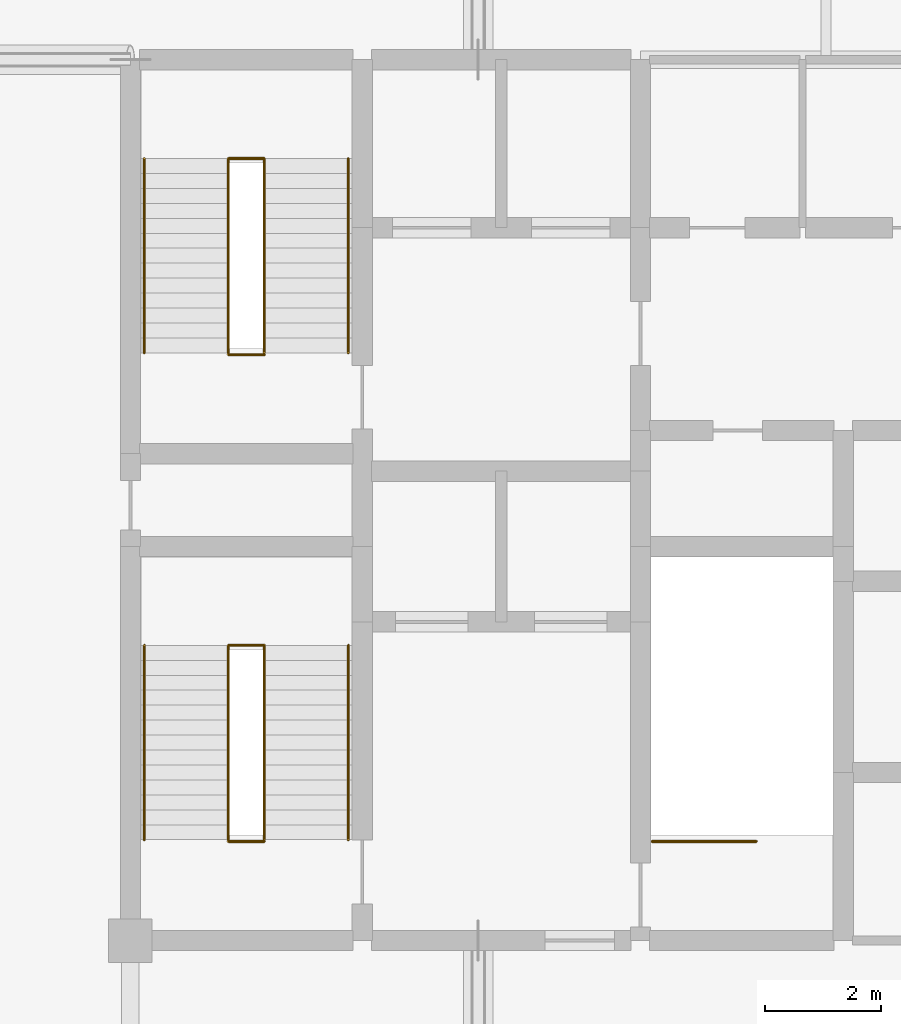
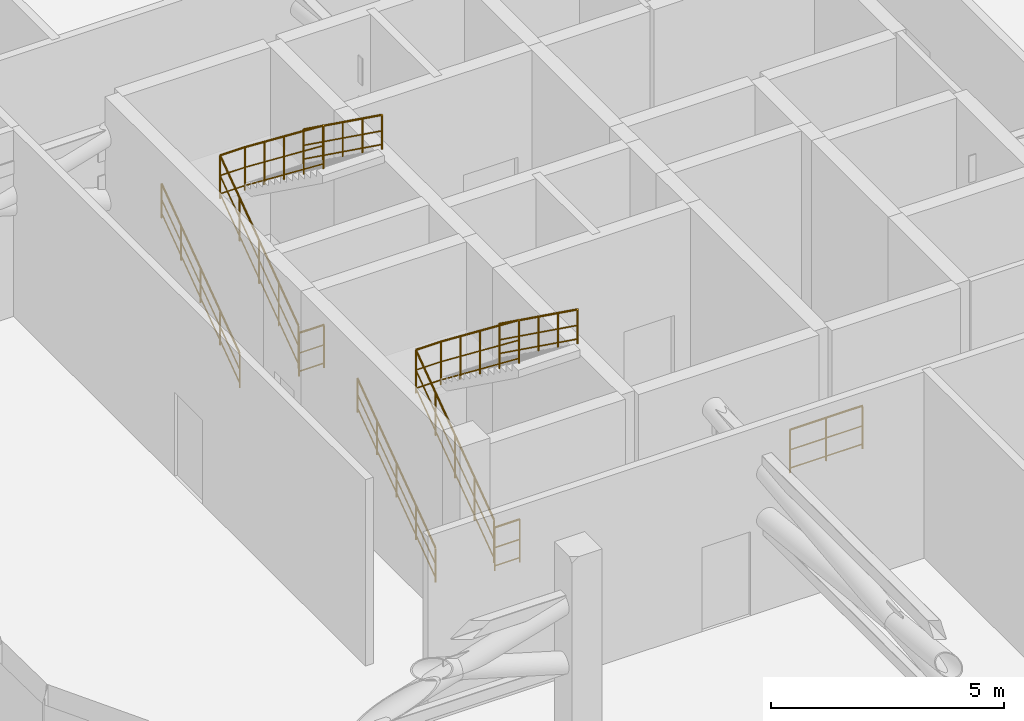
# One storey, part 12 of 12: 9 railings.
"""IFC4 building model written with IfcOpenShell, lengths in metres."""

from ifc_helpers import new_model, si_unit, direction, frame, origin, origin_2d, place, context, subcontext, project, spatial, circle, extrude, material, layer, layer_set, type_object, element, save


model = new_model("IFC4")

# Units and contexts
model_context = context("Model", 3, precision=1e-05, world=origin(), true_north=direction((0.0, 1.0)))
body_context = subcontext(model_context, "Body", "Model", "MODEL_VIEW")
ifc_project = project(units=[si_unit("LENGTHUNIT", "METRE"), si_unit("AREAUNIT", "SQUARE_METRE"), si_unit("VOLUMEUNIT", "CUBIC_METRE"), si_unit("PLANEANGLEUNIT", "RADIAN"), si_unit("MASSUNIT", "GRAM", prefix="KILO")], contexts=[model_context])

# Site, building, storey
site_placement = place(None, origin())
site = spatial("IfcSite", under=ifc_project, at=site_placement, CompositionType="ELEMENT")
building_placement = place(site_placement, origin())
building = spatial("IfcBuilding", under=site, at=building_placement, Name="Keshet Zoharim Tower", CompositionType="ELEMENT")
storey_placement = place(building_placement, frame((0.0, 0.0, 237.60009765625)))
storey = spatial("IfcBuildingStorey", under=building, at=storey_placement, Name="L59", CompositionType="ELEMENT", Elevation=237.60009765625)

# Railings
ifc_material = material(Name="Steel S355", Category="steel")
ifc_layer_1 = layer(ifc_material, 0.050048828125)
ifc_layer_set_1 = layer_set([ifc_layer_1], Name="Steel S355")
railing_type_1 = type_object("IfcRailingType", Name="RL-HND-092", PredefinedType="HANDRAIL", material=ifc_layer_set_1)
railing_1_placement = place(storey_placement, frame((15.239990234375, 24.43994140625, 0.185546875)))
element("IfcRailing", 1, at=railing_1_placement, inside=storey, type_object=railing_type_1, Name="L59 ST-01 Flight 1 Wall Handrail", PredefinedType="HANDRAIL", context=body_context, shape_type="SweptSolid", body=[
    extrude(circle(Radius=0.02392578125, at=origin_2d()), frame((0.0, 0.0, 0.89599609375), z_axis=(0.0, 0.811600447766, 0.584212900565), x_axis=(-1.0, 0.0, 0.0)), (0.0, 0.0, 1.0), 4.132568359375),
    extrude(circle(Radius=0.01611328125, at=origin_2d()), frame((0.0, 0.0, 0.478271484375), z_axis=(0.0, 0.811600447766, 0.584212900565), x_axis=(-1.0, 0.0, 0.0)), (0.0, 0.0, 1.0), 4.132568359375),
    extrude(circle(Radius=0.01611328125, at=origin_2d()), frame((0.0, 0.0, 0.1201171875), z_axis=(0.0, 0.811600447766, 0.584212900565), x_axis=(-1.0, 0.0, 0.0)), (0.0, 0.0, 1.0), 4.132568359375),
    extrude(circle(Radius=0.02099609375, at=origin_2d()), origin(), (0.0, 0.0, 1.0), 0.871826171875),
    extrude(circle(Radius=0.02099609375, at=origin_2d()), frame((0.0, 0.83837890625, 0.603515625)), (0.0, 0.0, 1.0), 0.871826171875),
    extrude(circle(Radius=0.02099609375, at=origin_2d()), frame((0.0, 1.677001953125, 1.20703125)), (0.0, 0.0, 1.0), 0.871826171875),
    extrude(circle(Radius=0.02099609375, at=origin_2d()), frame((0.0, 2.515625, 1.810791015625)), (0.0, 0.0, 1.0), 0.871826171875),
    extrude(circle(Radius=0.02099609375, at=origin_2d()), frame((0.0, 3.35400390625, 2.414306640625)), (0.0, 0.0, 1.0), 0.871826171875),
])
railing_2_placement = place(storey_placement, frame((18.760009765625, 27.7939453125, 2.78564453125)))
element("IfcRailing", 2, at=railing_2_placement, inside=storey, type_object=railing_type_1, Name="L59 ST-01 Flight 2 Wall Handrail", PredefinedType="HANDRAIL", context=body_context, shape_type="SweptSolid", body=[
    extrude(circle(Radius=0.02392578125, at=origin_2d()), frame((0.0, 0.0, 0.89599609375), z_axis=(0.0, -0.811600447766, 0.584212900565), x_axis=(1.0, 0.0, 0.0)), (0.0, 0.0, 1.0), 4.132568359375),
    extrude(circle(Radius=0.01611328125, at=origin_2d()), frame((0.0, 0.0, 0.478271484375), z_axis=(0.0, -0.811600447766, 0.584212900565), x_axis=(1.0, 0.0, 0.0)), (0.0, 0.0, 1.0), 4.132568359375),
    extrude(circle(Radius=0.01611328125, at=origin_2d()), frame((0.0, 0.0, 0.1201171875), z_axis=(0.0, -0.811600447766, 0.584212900565), x_axis=(1.0, 0.0, 0.0)), (0.0, 0.0, 1.0), 4.132568359375),
    extrude(circle(Radius=0.02099609375, at=origin_2d()), origin(), (0.0, 0.0, 1.0), 0.871826171875),
    extrude(circle(Radius=0.02099609375, at=origin_2d()), frame((0.0, -0.83837890625, 0.603515625)), (0.0, 0.0, 1.0), 0.871826171875),
    extrude(circle(Radius=0.02099609375, at=origin_2d()), frame((0.0, -1.677001953125, 1.20703125)), (0.0, 0.0, 1.0), 0.871826171875),
    extrude(circle(Radius=0.02099609375, at=origin_2d()), frame((0.0, -2.515625, 1.810791015625)), (0.0, 0.0, 1.0), 0.871826171875),
    extrude(circle(Radius=0.02099609375, at=origin_2d()), frame((0.0, -3.35400390625, 2.414306640625)), (0.0, 0.0, 1.0), 0.871826171875),
])
railing_3_placement = place(storey_placement, frame((15.239990234375, 32.840087890625, 0.185546875)))
element("IfcRailing", 3, at=railing_3_placement, inside=storey, type_object=railing_type_1, Name="L59 ST-02 Flight 1 Wall Handrail", PredefinedType="HANDRAIL", context=body_context, shape_type="SweptSolid", body=[
    extrude(circle(Radius=0.02392578125, at=origin_2d()), frame((0.0, 0.0, 0.89599609375), z_axis=(0.0, 0.811600447766, 0.584212900565), x_axis=(-1.0, 0.0, 0.0)), (0.0, 0.0, 1.0), 4.132568359375),
    extrude(circle(Radius=0.01611328125, at=origin_2d()), frame((0.0, 0.0, 0.478271484375), z_axis=(0.0, 0.811600447766, 0.584212900565), x_axis=(-1.0, 0.0, 0.0)), (0.0, 0.0, 1.0), 4.132568359375),
    extrude(circle(Radius=0.01611328125, at=origin_2d()), frame((0.0, 0.0, 0.1201171875), z_axis=(0.0, 0.811600447766, 0.584212900565), x_axis=(-1.0, 0.0, 0.0)), (0.0, 0.0, 1.0), 4.132568359375),
    extrude(circle(Radius=0.02099609375, at=origin_2d()), origin(), (0.0, 0.0, 1.0), 0.871826171875),
    extrude(circle(Radius=0.02099609375, at=origin_2d()), frame((0.0, 0.83837890625, 0.603515625)), (0.0, 0.0, 1.0), 0.871826171875),
    extrude(circle(Radius=0.02099609375, at=origin_2d()), frame((0.0, 1.677001953125, 1.20703125)), (0.0, 0.0, 1.0), 0.871826171875),
    extrude(circle(Radius=0.02099609375, at=origin_2d()), frame((0.0, 2.515625, 1.810791015625)), (0.0, 0.0, 1.0), 0.871826171875),
    extrude(circle(Radius=0.02099609375, at=origin_2d()), frame((0.0, 3.35400390625, 2.414306640625)), (0.0, 0.0, 1.0), 0.871826171875),
])
railing_4_placement = place(storey_placement, frame((18.760009765625, 36.194091796875, 2.78564453125)))
element("IfcRailing", 4, at=railing_4_placement, inside=storey, type_object=railing_type_1, Name="L59 ST-02 Flight 2 Wall Handrail", PredefinedType="HANDRAIL", context=body_context, shape_type="SweptSolid", body=[
    extrude(circle(Radius=0.02392578125, at=origin_2d()), frame((0.0, 0.0, 0.89599609375), z_axis=(0.0, -0.811600447766, 0.584212900565), x_axis=(1.0, 0.0, 0.0)), (0.0, 0.0, 1.0), 4.132568359375),
    extrude(circle(Radius=0.01611328125, at=origin_2d()), frame((0.0, 0.0, 0.478271484375), z_axis=(0.0, -0.811600447766, 0.584212900565), x_axis=(1.0, 0.0, 0.0)), (0.0, 0.0, 1.0), 4.132568359375),
    extrude(circle(Radius=0.01611328125, at=origin_2d()), frame((0.0, 0.0, 0.1201171875), z_axis=(0.0, -0.811600447766, 0.584212900565), x_axis=(1.0, 0.0, 0.0)), (0.0, 0.0, 1.0), 4.132568359375),
    extrude(circle(Radius=0.02099609375, at=origin_2d()), origin(), (0.0, 0.0, 1.0), 0.871826171875),
    extrude(circle(Radius=0.02099609375, at=origin_2d()), frame((0.0, -0.83837890625, 0.603515625)), (0.0, 0.0, 1.0), 0.871826171875),
    extrude(circle(Radius=0.02099609375, at=origin_2d()), frame((0.0, -1.677001953125, 1.20703125)), (0.0, 0.0, 1.0), 0.871826171875),
    extrude(circle(Radius=0.02099609375, at=origin_2d()), frame((0.0, -2.515625, 1.810791015625)), (0.0, 0.0, 1.0), 0.871826171875),
    extrude(circle(Radius=0.02099609375, at=origin_2d()), frame((0.0, -3.35400390625, 2.414306640625)), (0.0, 0.0, 1.0), 0.871826171875),
])
ifc_layer_2 = layer(ifc_material, 0.06005859375)
ifc_layer_set_2 = layer_set([ifc_layer_2], Name="Steel S355")
railing_type_2 = type_object("IfcRailingType", Name="RL-STG-115", PredefinedType="GUARDRAIL", material=ifc_layer_set_2)
railing_5_placement = place(storey_placement, frame((16.68994140625, 24.43994140625, 0.185546875)))
element("IfcRailing", 5, at=railing_5_placement, inside=storey, type_object=railing_type_2, Name="L59 ST-01 Inner Well Guardrail", PredefinedType="GUARDRAIL", context=body_context, shape_type="SweptSolid", body=[
    extrude(circle(Radius=0.02392578125, at=origin_2d()), frame((0.0, 0.0, 1.1259765625), z_axis=(0.0, 0.811600447766, 0.584212900565), x_axis=(-1.0, 0.0, 0.0)), (0.0, 0.0, 1.0), 4.132568359375),
    extrude(circle(Radius=0.01611328125, at=origin_2d()), frame((0.0, 0.0, 0.597900390625), z_axis=(0.0, 0.811600447766, 0.584212900565), x_axis=(-1.0, 0.0, 0.0)), (0.0, 0.0, 1.0), 4.132568359375),
    extrude(circle(Radius=0.01611328125, at=origin_2d()), frame((0.0, 0.0, 0.1201171875), z_axis=(0.0, 0.811600447766, 0.584212900565), x_axis=(-1.0, 0.0, 0.0)), (0.0, 0.0, 1.0), 4.132568359375),
    extrude(circle(Radius=0.02392578125, at=origin_2d()), frame((0.0, 3.35400390625, 3.5400390625), z_axis=(1.0, 0.0, 0.0), x_axis=(0.0, 1.0, 0.0)), (0.0, 0.0, 1.0), 0.6201171875),
    extrude(circle(Radius=0.01611328125, at=origin_2d()), frame((0.0, 3.35400390625, 3.01220703125), z_axis=(1.0, 0.0, 0.0), x_axis=(0.0, 1.0, 0.0)), (0.0, 0.0, 1.0), 0.6201171875),
    extrude(circle(Radius=0.01611328125, at=origin_2d()), frame((0.0, 3.35400390625, 2.534423828125), z_axis=(1.0, 0.0, 0.0), x_axis=(0.0, 1.0, 0.0)), (0.0, 0.0, 1.0), 0.6201171875),
    extrude(circle(Radius=0.02392578125, at=origin_2d()), frame((0.6201171875, 3.35400390625, 3.5400390625), z_axis=(0.0, -0.790330088008, 0.61268128092), x_axis=(1.0, 0.0, 0.0)), (0.0, 0.0, 1.0), 4.243896484375),
    extrude(circle(Radius=0.01611328125, at=origin_2d()), frame((0.6201171875, 3.35400390625, 3.01220703125), z_axis=(0.0, -0.790330088008, 0.61268128092), x_axis=(1.0, 0.0, 0.0)), (0.0, 0.0, 1.0), 4.243896484375),
    extrude(circle(Radius=0.01611328125, at=origin_2d()), frame((0.6201171875, 3.35400390625, 2.534423828125), z_axis=(0.0, -0.790330088008, 0.61268128092), x_axis=(1.0, 0.0, 0.0)), (0.0, 0.0, 1.0), 4.243896484375),
    extrude(circle(Radius=0.02099609375, at=origin_2d()), origin(), (0.0, 0.0, 1.0), 1.101806640625),
    extrude(circle(Radius=0.02099609375, at=origin_2d()), frame((0.0, 0.83837890625, 0.603515625)), (0.0, 0.0, 1.0), 1.101806640625),
    extrude(circle(Radius=0.02099609375, at=origin_2d()), frame((0.0, 1.677001953125, 1.20703125)), (0.0, 0.0, 1.0), 1.101806640625),
    extrude(circle(Radius=0.02099609375, at=origin_2d()), frame((0.0, 2.515625, 1.810791015625)), (0.0, 0.0, 1.0), 1.101806640625),
    extrude(circle(Radius=0.02099609375, at=origin_2d()), frame((0.0, 3.35400390625, 2.414306640625)), (0.0, 0.0, 1.0), 1.101806640625),
    extrude(circle(Radius=0.02099609375, at=origin_2d()), frame((0.6201171875, 3.35400390625, 2.414306640625)), (0.0, 0.0, 1.0), 1.101806640625),
    extrude(circle(Radius=0.02099609375, at=origin_2d()), frame((0.6201171875, 2.515625, 3.064453125)), (0.0, 0.0, 1.0), 1.101806640625),
    extrude(circle(Radius=0.02099609375, at=origin_2d()), frame((0.6201171875, 1.677001953125, 3.71435546875)), (0.0, 0.0, 1.0), 1.101806640625),
    extrude(circle(Radius=0.02099609375, at=origin_2d()), frame((0.6201171875, 0.83837890625, 4.3642578125)), (0.0, 0.0, 1.0), 1.101806640625),
    extrude(circle(Radius=0.02099609375, at=origin_2d()), frame((0.6201171875, 0.0, 5.014404296875)), (0.0, 0.0, 1.0), 1.101806640625),
])
railing_6_placement = place(storey_placement, frame((16.68994140625, 24.409912109375, 0.0)))
element("IfcRailing", 6, at=railing_6_placement, inside=storey, type_object=railing_type_2, Name="L59 ST-01 Stairwell Floor Guardrail", PredefinedType="GUARDRAIL", context=body_context, shape_type="SweptSolid", body=[
    extrude(circle(Radius=0.02392578125, at=origin_2d()), frame((0.0, 0.0, 1.1259765625), z_axis=(1.0, 0.0, 0.0), x_axis=(0.0, 1.0, 0.0)), (0.0, 0.0, 1.0), 0.6201171875),
    extrude(circle(Radius=0.01611328125, at=origin_2d()), frame((0.0, 0.0, 0.597900390625), z_axis=(1.0, 0.0, 0.0), x_axis=(0.0, 1.0, 0.0)), (0.0, 0.0, 1.0), 0.6201171875),
    extrude(circle(Radius=0.01611328125, at=origin_2d()), frame((0.0, 0.0, 0.1201171875), z_axis=(1.0, 0.0, 0.0), x_axis=(0.0, 1.0, 0.0)), (0.0, 0.0, 1.0), 0.6201171875),
    extrude(circle(Radius=0.02099609375, at=origin_2d()), origin(), (0.0, 0.0, 1.0), 1.101806640625),
    extrude(circle(Radius=0.02099609375, at=origin_2d()), frame((0.6201171875, 0.0, 0.0)), (0.0, 0.0, 1.0), 1.101806640625),
])
railing_7_placement = place(storey_placement, frame((16.68994140625, 32.840087890625, 0.185546875)))
element("IfcRailing", 7, at=railing_7_placement, inside=storey, type_object=railing_type_2, Name="L59 ST-02 Inner Well Guardrail", PredefinedType="GUARDRAIL", context=body_context, shape_type="SweptSolid", body=[
    extrude(circle(Radius=0.02392578125, at=origin_2d()), frame((0.0, 0.0, 1.1259765625), z_axis=(0.0, 0.811600447766, 0.584212900565), x_axis=(-1.0, 0.0, 0.0)), (0.0, 0.0, 1.0), 4.132568359375),
    extrude(circle(Radius=0.01611328125, at=origin_2d()), frame((0.0, 0.0, 0.597900390625), z_axis=(0.0, 0.811600447766, 0.584212900565), x_axis=(-1.0, 0.0, 0.0)), (0.0, 0.0, 1.0), 4.132568359375),
    extrude(circle(Radius=0.01611328125, at=origin_2d()), frame((0.0, 0.0, 0.1201171875), z_axis=(0.0, 0.811600447766, 0.584212900565), x_axis=(-1.0, 0.0, 0.0)), (0.0, 0.0, 1.0), 4.132568359375),
    extrude(circle(Radius=0.02392578125, at=origin_2d()), frame((0.0, 3.35400390625, 3.5400390625), z_axis=(1.0, 0.0, 0.0), x_axis=(0.0, 1.0, 0.0)), (0.0, 0.0, 1.0), 0.6201171875),
    extrude(circle(Radius=0.01611328125, at=origin_2d()), frame((0.0, 3.35400390625, 3.01220703125), z_axis=(1.0, 0.0, 0.0), x_axis=(0.0, 1.0, 0.0)), (0.0, 0.0, 1.0), 0.6201171875),
    extrude(circle(Radius=0.01611328125, at=origin_2d()), frame((0.0, 3.35400390625, 2.534423828125), z_axis=(1.0, 0.0, 0.0), x_axis=(0.0, 1.0, 0.0)), (0.0, 0.0, 1.0), 0.6201171875),
    extrude(circle(Radius=0.02392578125, at=origin_2d()), frame((0.6201171875, 3.35400390625, 3.5400390625), z_axis=(0.0, -0.790330088008, 0.61268128092), x_axis=(1.0, 0.0, 0.0)), (0.0, 0.0, 1.0), 4.243896484375),
    extrude(circle(Radius=0.01611328125, at=origin_2d()), frame((0.6201171875, 3.35400390625, 3.01220703125), z_axis=(0.0, -0.790330088008, 0.61268128092), x_axis=(1.0, 0.0, 0.0)), (0.0, 0.0, 1.0), 4.243896484375),
    extrude(circle(Radius=0.01611328125, at=origin_2d()), frame((0.6201171875, 3.35400390625, 2.534423828125), z_axis=(0.0, -0.790330088008, 0.61268128092), x_axis=(1.0, 0.0, 0.0)), (0.0, 0.0, 1.0), 4.243896484375),
    extrude(circle(Radius=0.02099609375, at=origin_2d()), origin(), (0.0, 0.0, 1.0), 1.101806640625),
    extrude(circle(Radius=0.02099609375, at=origin_2d()), frame((0.0, 0.83837890625, 0.603515625)), (0.0, 0.0, 1.0), 1.101806640625),
    extrude(circle(Radius=0.02099609375, at=origin_2d()), frame((0.0, 1.677001953125, 1.20703125)), (0.0, 0.0, 1.0), 1.101806640625),
    extrude(circle(Radius=0.02099609375, at=origin_2d()), frame((0.0, 2.515625, 1.810791015625)), (0.0, 0.0, 1.0), 1.101806640625),
    extrude(circle(Radius=0.02099609375, at=origin_2d()), frame((0.0, 3.35400390625, 2.414306640625)), (0.0, 0.0, 1.0), 1.101806640625),
    extrude(circle(Radius=0.02099609375, at=origin_2d()), frame((0.6201171875, 3.35400390625, 2.414306640625)), (0.0, 0.0, 1.0), 1.101806640625),
    extrude(circle(Radius=0.02099609375, at=origin_2d()), frame((0.6201171875, 2.515625, 3.064453125)), (0.0, 0.0, 1.0), 1.101806640625),
    extrude(circle(Radius=0.02099609375, at=origin_2d()), frame((0.6201171875, 1.677001953125, 3.71435546875)), (0.0, 0.0, 1.0), 1.101806640625),
    extrude(circle(Radius=0.02099609375, at=origin_2d()), frame((0.6201171875, 0.83837890625, 4.3642578125)), (0.0, 0.0, 1.0), 1.101806640625),
    extrude(circle(Radius=0.02099609375, at=origin_2d()), frame((0.6201171875, 0.0, 5.014404296875)), (0.0, 0.0, 1.0), 1.101806640625),
])
railing_8_placement = place(storey_placement, frame((16.68994140625, 32.81005859375, 0.0)))
element("IfcRailing", 8, at=railing_8_placement, inside=storey, type_object=railing_type_2, Name="L59 ST-02 Stairwell Floor Guardrail", PredefinedType="GUARDRAIL", context=body_context, shape_type="SweptSolid", body=[
    extrude(circle(Radius=0.02392578125, at=origin_2d()), frame((0.0, 0.0, 1.1259765625), z_axis=(1.0, 0.0, 0.0), x_axis=(0.0, 1.0, 0.0)), (0.0, 0.0, 1.0), 0.6201171875),
    extrude(circle(Radius=0.01611328125, at=origin_2d()), frame((0.0, 0.0, 0.597900390625), z_axis=(1.0, 0.0, 0.0), x_axis=(0.0, 1.0, 0.0)), (0.0, 0.0, 1.0), 0.6201171875),
    extrude(circle(Radius=0.01611328125, at=origin_2d()), frame((0.0, 0.0, 0.1201171875), z_axis=(1.0, 0.0, 0.0), x_axis=(0.0, 1.0, 0.0)), (0.0, 0.0, 1.0), 0.6201171875),
    extrude(circle(Radius=0.02099609375, at=origin_2d()), origin(), (0.0, 0.0, 1.0), 1.101806640625),
    extrude(circle(Radius=0.02099609375, at=origin_2d()), frame((0.6201171875, 0.0, 0.0)), (0.0, 0.0, 1.0), 1.101806640625),
])
railing_9_placement = place(storey_placement, frame((24.0, 24.409912109375, 0.0)))
element("IfcRailing", 9, at=railing_9_placement, inside=storey, type_object=railing_type_2, Name="L59 ST-03 Stairwell Floor Guardrail", PredefinedType="GUARDRAIL", context=body_context, shape_type="SweptSolid", body=[
    extrude(circle(Radius=0.02392578125, at=origin_2d()), frame((0.0, 0.0, 1.1259765625), z_axis=(1.0, 0.0, 0.0), x_axis=(0.0, 1.0, 0.0)), (0.0, 0.0, 1.0), 1.800048828125),
    extrude(circle(Radius=0.01611328125, at=origin_2d()), frame((0.0, 0.0, 0.597900390625), z_axis=(1.0, 0.0, 0.0), x_axis=(0.0, 1.0, 0.0)), (0.0, 0.0, 1.0), 1.800048828125),
    extrude(circle(Radius=0.01611328125, at=origin_2d()), frame((0.0, 0.0, 0.1201171875), z_axis=(1.0, 0.0, 0.0), x_axis=(0.0, 1.0, 0.0)), (0.0, 0.0, 1.0), 1.800048828125),
    extrude(circle(Radius=0.02099609375, at=origin_2d()), origin(), (0.0, 0.0, 1.0), 1.101806640625),
    extrude(circle(Radius=0.02099609375, at=origin_2d()), frame((0.89990234375, 0.0, 0.0)), (0.0, 0.0, 1.0), 1.101806640625),
    extrude(circle(Radius=0.02099609375, at=origin_2d()), frame((1.800048828125, 0.0, 0.0)), (0.0, 0.0, 1.0), 1.101806640625),
])

save(model, "model.ifc")
